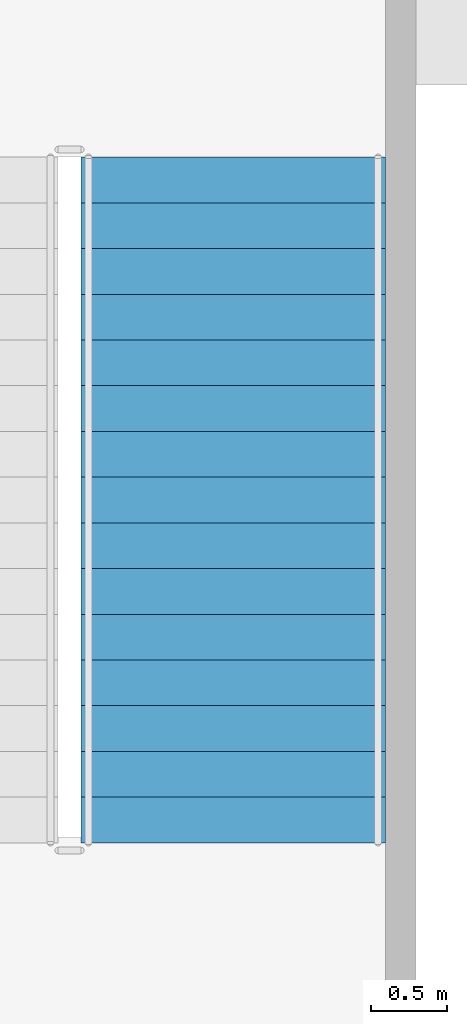
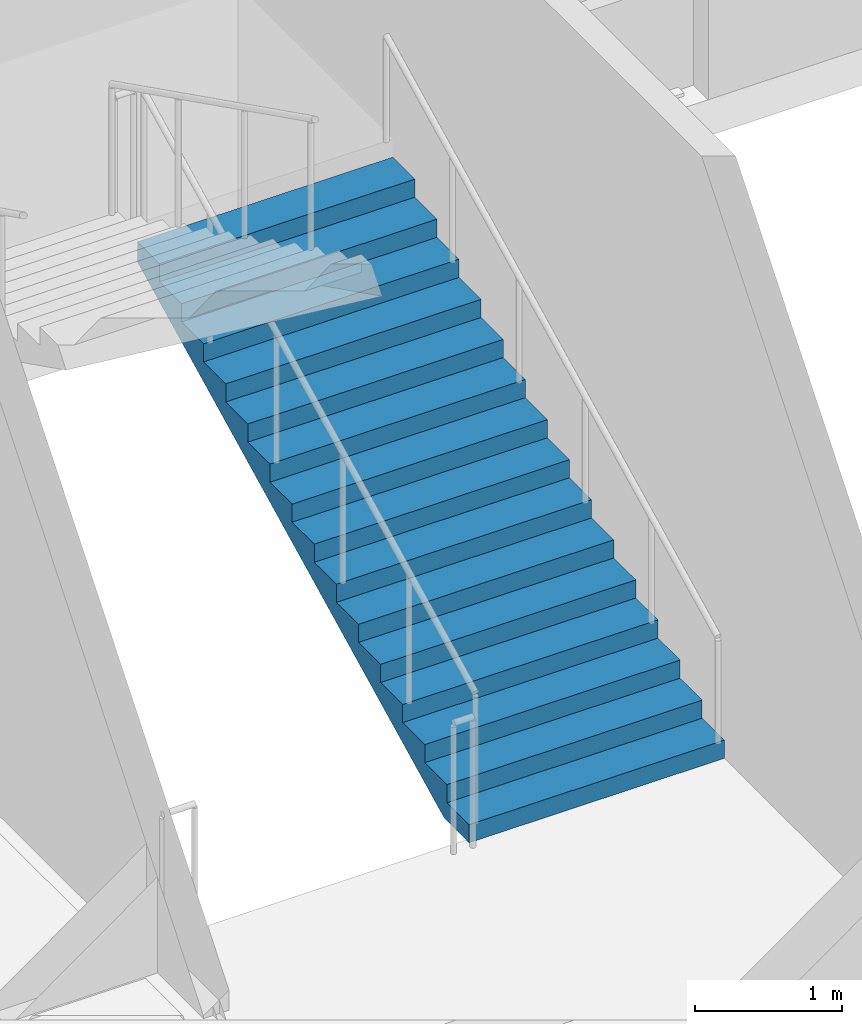
# One storey, part 57 of 86: 1 stair flight, 1 element without a shape of its own.
"""IFC4 building model written with IfcOpenShell, lengths in metres."""

from ifc_helpers import new_model, si_unit, direction, frame, origin, place, context, subcontext, project, spatial, faceted_brep, material, type_object, element, aggregate, save


model = new_model("IFC4")

# Units and contexts
model_context = context("Model", 3, precision=1e-05, world=origin(), true_north=direction((0.0, 1.0)))
body_context = subcontext(model_context, "Body", "Model", "MODEL_VIEW")
ifc_project = project(units=[si_unit("LENGTHUNIT", "METRE"), si_unit("AREAUNIT", "SQUARE_METRE"), si_unit("VOLUMEUNIT", "CUBIC_METRE"), si_unit("PLANEANGLEUNIT", "RADIAN"), si_unit("MASSUNIT", "GRAM", prefix="KILO")], contexts=[model_context])

# Site, building, storey
site_placement = place(None, origin())
site = spatial("IfcSite", under=ifc_project, at=site_placement, CompositionType="ELEMENT")
building_placement = place(site_placement, origin())
building = spatial("IfcBuilding", under=site, at=building_placement, Name="Kiln Court Media Centre", CompositionType="ELEMENT")
storey_placement = place(building_placement, frame((0.0, 0.0, 10.199951171875)))
storey = spatial("IfcBuildingStorey", under=building, at=storey_placement, Name="L02", CompositionType="ELEMENT", Elevation=10.199951171875)

# Stair, stair flight
ifc_material_1 = material(Name="Concrete C40/50", Category="concrete")
stair_type = type_object("IfcStairType", Name="Concrete C40/50 dog-leg stair 2000 wide, 150 riser", PredefinedType="HALF_TURN_STAIR", material=ifc_material_1)
stair_placement = place(storey_placement, origin())
stair = element("IfcStair", 1, at=stair_placement, inside=storey, type_object=stair_type, Name="ST-05 L02", PredefinedType="HALF_TURN_STAIR")
ifc_material_2 = material(Name="Concrete C40/50", Category="concrete")
stair_flight_type = type_object("IfcStairFlightType", Name="Concrete C40/50 stair flight 2000 wide, 150 riser, 300 going", PredefinedType="STRAIGHT", material=ifc_material_2)
stair_flight_placement = place(storey_placement, frame((57.60009765625, 18.39990234375, 0.0), z_axis=(0.0, 0.0, 1.0), x_axis=(0.0, 1.0, 0.0)))
stair_flight = element("IfcStairFlight", 2, at=stair_flight_placement, type_object=stair_flight_type, Name="L02-ST-5004 flight 5008", NumberOfRisers=16, NumberOfTreads=15, PredefinedType="STRAIGHT", RiserHeight=0.15, TreadLength=0.3, context=body_context, shape_type="Brep", body=[
    faceted_brep([(0.335205078125, -1.0, 0.0), (4.5, -1.0, 2.08251953125), (4.5, -1.0, 2.25), (4.199951171875, -1.0, 2.25), (4.199951171875, -1.0, 2.10009765625), (3.89990234375, -1.0, 2.10009765625), (3.89990234375, -1.0, 1.949951171875), (3.60009765625, -1.0, 1.949951171875), (3.60009765625, -1.0, 1.800048828125), (3.300048828125, -1.0, 1.800048828125), (3.300048828125, -1.0, 1.64990234375), (3.0, -1.0, 1.64990234375), (3.0, -1.0, 1.5), (2.699951171875, -1.0, 1.5), (2.699951171875, -1.0, 1.35009765625), (2.39990234375, -1.0, 1.35009765625), (2.39990234375, -1.0, 1.199951171875), (2.10009765625, -1.0, 1.199951171875), (2.10009765625, -1.0, 1.050048828125), (1.800048828125, -1.0, 1.050048828125), (1.800048828125, -1.0, 0.89990234375), (1.5, -1.0, 0.89990234375), (1.5, -1.0, 0.75), (1.199951171875, -1.0, 0.75), (1.199951171875, -1.0, 0.60009765625), (0.89990234375, -1.0, 0.60009765625), (0.89990234375, -1.0, 0.449951171875), (0.60009765625, -1.0, 0.449951171875), (0.60009765625, -1.0, 0.300048828125), (0.300048828125, -1.0, 0.300048828125), (0.300048828125, -1.0, 0.14990234375), (0.0, -1.0, 0.14990234375), (0.0, -1.0, 0.0), (0.0, 1.0, 0.0), (0.0, 1.0, 0.14990234375), (0.300048828125, 1.0, 0.14990234375), (0.300048828125, 1.0, 0.300048828125), (0.60009765625, 1.0, 0.300048828125), (0.60009765625, 1.0, 0.449951171875), (0.89990234375, 1.0, 0.449951171875), (0.89990234375, 1.0, 0.60009765625), (1.199951171875, 1.0, 0.60009765625), (1.199951171875, 1.0, 0.75), (1.5, 1.0, 0.75), (1.5, 1.0, 0.89990234375), (1.800048828125, 1.0, 0.89990234375), (1.800048828125, 1.0, 1.050048828125), (2.10009765625, 1.0, 1.050048828125), (2.10009765625, 1.0, 1.199951171875), (2.39990234375, 1.0, 1.199951171875), (2.39990234375, 1.0, 1.35009765625), (2.699951171875, 1.0, 1.35009765625), (2.699951171875, 1.0, 1.5), (3.0, 1.0, 1.5), (3.0, 1.0, 1.64990234375), (3.300048828125, 1.0, 1.64990234375), (3.300048828125, 1.0, 1.800048828125), (3.60009765625, 1.0, 1.800048828125), (3.60009765625, 1.0, 1.949951171875), (3.89990234375, 1.0, 1.949951171875), (3.89990234375, 1.0, 2.10009765625), (4.199951171875, 1.0, 2.10009765625), (4.199951171875, 1.0, 2.25), (4.5, 1.0, 2.25), (4.5, 1.0, 2.08251953125), (0.335205078125, 1.0, 0.0), (4.5, 0.10009765625, 2.08251953125), (0.335205078125, 0.10009765625, 0.0), (4.5, 0.080078125, 2.08251953125), (0.335205078125, 0.080078125, 0.0), (4.5, 0.06005859375, 2.08251953125), (0.335205078125, 0.06005859375, 0.0), (4.5, 0.0400390625, 2.08251953125), (0.335205078125, 0.0400390625, 0.0), (4.5, 0.02001953125, 2.08251953125), (0.335205078125, 0.02001953125, 0.0), (4.5, 0.0, 2.08251953125), (0.335205078125, 0.0, 0.0), (4.5, -0.02001953125, 2.08251953125), (0.335205078125, -0.02001953125, 0.0), (4.5, -0.0400390625, 2.08251953125), (0.335205078125, -0.0400390625, 0.0), (4.5, -0.06005859375, 2.08251953125), (0.335205078125, -0.06005859375, 0.0), (4.5, -0.080078125, 2.08251953125), (0.335205078125, -0.080078125, 0.0), (4.5, -0.10009765625, 2.08251953125), (0.335205078125, -0.10009765625, 0.0), (4.5, 0.10009765625, 2.25), (4.5, 0.080078125, 2.25), (4.5, 0.06005859375, 2.25), (4.5, 0.0400390625, 2.25), (4.5, 0.02001953125, 2.25), (4.5, 0.0, 2.25), (4.5, -0.02001953125, 2.25), (4.5, -0.0400390625, 2.25), (4.5, -0.06005859375, 2.25), (4.5, -0.080078125, 2.25), (4.5, -0.10009765625, 2.25), (4.199951171875, 0.10009765625, 2.25), (4.199951171875, 0.080078125, 2.25), (4.199951171875, 0.06005859375, 2.25), (4.199951171875, 0.0400390625, 2.25), (4.199951171875, 0.02001953125, 2.25), (4.199951171875, 0.0, 2.25), (4.199951171875, -0.02001953125, 2.25), (4.199951171875, -0.0400390625, 2.25), (4.199951171875, -0.06005859375, 2.25), (4.199951171875, -0.080078125, 2.25), (4.199951171875, -0.10009765625, 2.25), (4.199951171875, 0.10009765625, 2.10009765625), (4.199951171875, 0.080078125, 2.10009765625), (4.199951171875, 0.06005859375, 2.10009765625), (4.199951171875, 0.0400390625, 2.10009765625), (4.199951171875, 0.02001953125, 2.10009765625), (4.199951171875, 0.0, 2.10009765625), (4.199951171875, -0.02001953125, 2.10009765625), (4.199951171875, -0.0400390625, 2.10009765625), (4.199951171875, -0.06005859375, 2.10009765625), (4.199951171875, -0.080078125, 2.10009765625), (4.199951171875, -0.10009765625, 2.10009765625), (3.89990234375, 0.10009765625, 2.10009765625), (3.89990234375, 0.080078125, 2.10009765625), (3.89990234375, 0.06005859375, 2.10009765625), (3.89990234375, 0.0400390625, 2.10009765625), (3.89990234375, 0.02001953125, 2.10009765625), (3.89990234375, 0.0, 2.10009765625), (3.89990234375, -0.02001953125, 2.10009765625), (3.89990234375, -0.0400390625, 2.10009765625), (3.89990234375, -0.06005859375, 2.10009765625), (3.89990234375, -0.080078125, 2.10009765625), (3.89990234375, -0.10009765625, 2.10009765625), (3.89990234375, 0.10009765625, 1.949951171875), (3.89990234375, 0.080078125, 1.949951171875), (3.89990234375, 0.06005859375, 1.949951171875), (3.89990234375, 0.0400390625, 1.949951171875), (3.89990234375, 0.02001953125, 1.949951171875), (3.89990234375, 0.0, 1.949951171875), (3.89990234375, -0.02001953125, 1.949951171875), (3.89990234375, -0.0400390625, 1.949951171875), (3.89990234375, -0.06005859375, 1.949951171875), (3.89990234375, -0.080078125, 1.949951171875), (3.89990234375, -0.10009765625, 1.949951171875), (3.60009765625, 0.10009765625, 1.949951171875), (3.60009765625, 0.080078125, 1.949951171875), (3.60009765625, 0.06005859375, 1.949951171875), (3.60009765625, 0.0400390625, 1.949951171875), (3.60009765625, 0.02001953125, 1.949951171875), (3.60009765625, 0.0, 1.949951171875), (3.60009765625, -0.02001953125, 1.949951171875), (3.60009765625, -0.0400390625, 1.949951171875), (3.60009765625, -0.06005859375, 1.949951171875), (3.60009765625, -0.080078125, 1.949951171875), (3.60009765625, -0.10009765625, 1.949951171875), (3.60009765625, 0.10009765625, 1.800048828125), (3.60009765625, 0.080078125, 1.800048828125), (3.60009765625, 0.06005859375, 1.800048828125), (3.60009765625, 0.0400390625, 1.800048828125), (3.60009765625, 0.02001953125, 1.800048828125), (3.60009765625, 0.0, 1.800048828125), (3.60009765625, -0.02001953125, 1.800048828125), (3.60009765625, -0.0400390625, 1.800048828125), (3.60009765625, -0.06005859375, 1.800048828125), (3.60009765625, -0.080078125, 1.800048828125), (3.60009765625, -0.10009765625, 1.800048828125), (3.300048828125, 0.10009765625, 1.800048828125), (3.300048828125, 0.080078125, 1.800048828125), (3.300048828125, 0.06005859375, 1.800048828125), (3.300048828125, 0.0400390625, 1.800048828125), (3.300048828125, 0.02001953125, 1.800048828125), (3.300048828125, 0.0, 1.800048828125), (3.300048828125, -0.02001953125, 1.800048828125), (3.300048828125, -0.0400390625, 1.800048828125), (3.300048828125, -0.06005859375, 1.800048828125), (3.300048828125, -0.080078125, 1.800048828125), (3.300048828125, -0.10009765625, 1.800048828125), (3.300048828125, 0.10009765625, 1.64990234375), (3.300048828125, 0.080078125, 1.64990234375), (3.300048828125, 0.06005859375, 1.64990234375), (3.300048828125, 0.0400390625, 1.64990234375), (3.300048828125, 0.02001953125, 1.64990234375), (3.300048828125, 0.0, 1.64990234375), (3.300048828125, -0.02001953125, 1.64990234375), (3.300048828125, -0.0400390625, 1.64990234375), (3.300048828125, -0.06005859375, 1.64990234375), (3.300048828125, -0.080078125, 1.64990234375), (3.300048828125, -0.10009765625, 1.64990234375), (3.0, 0.10009765625, 1.64990234375), (3.0, 0.080078125, 1.64990234375), (3.0, 0.06005859375, 1.64990234375), (3.0, 0.0400390625, 1.64990234375), (3.0, 0.02001953125, 1.64990234375), (3.0, 0.0, 1.64990234375), (3.0, -0.02001953125, 1.64990234375), (3.0, -0.0400390625, 1.64990234375), (3.0, -0.06005859375, 1.64990234375), (3.0, -0.080078125, 1.64990234375), (3.0, -0.10009765625, 1.64990234375), (3.0, 0.10009765625, 1.5), (3.0, 0.080078125, 1.5), (3.0, 0.06005859375, 1.5), (3.0, 0.0400390625, 1.5), (3.0, 0.02001953125, 1.5), (3.0, 0.0, 1.5), (3.0, -0.02001953125, 1.5), (3.0, -0.0400390625, 1.5), (3.0, -0.06005859375, 1.5), (3.0, -0.080078125, 1.5), (3.0, -0.10009765625, 1.5), (2.699951171875, 0.10009765625, 1.5), (2.699951171875, 0.080078125, 1.5), (2.699951171875, 0.06005859375, 1.5), (2.699951171875, 0.0400390625, 1.5), (2.699951171875, 0.02001953125, 1.5), (2.699951171875, 0.0, 1.5), (2.699951171875, -0.02001953125, 1.5), (2.699951171875, -0.0400390625, 1.5), (2.699951171875, -0.06005859375, 1.5), (2.699951171875, -0.080078125, 1.5), (2.699951171875, -0.10009765625, 1.5), (2.699951171875, 0.10009765625, 1.35009765625), (2.699951171875, 0.080078125, 1.35009765625), (2.699951171875, 0.06005859375, 1.35009765625), (2.699951171875, 0.0400390625, 1.35009765625), (2.699951171875, 0.02001953125, 1.35009765625), (2.699951171875, 0.0, 1.35009765625), (2.699951171875, -0.02001953125, 1.35009765625), (2.699951171875, -0.0400390625, 1.35009765625), (2.699951171875, -0.06005859375, 1.35009765625), (2.699951171875, -0.080078125, 1.35009765625), (2.699951171875, -0.10009765625, 1.35009765625), (2.39990234375, 0.10009765625, 1.35009765625), (2.39990234375, 0.080078125, 1.35009765625), (2.39990234375, 0.06005859375, 1.35009765625), (2.39990234375, 0.0400390625, 1.35009765625), (2.39990234375, 0.02001953125, 1.35009765625), (2.39990234375, 0.0, 1.35009765625), (2.39990234375, -0.02001953125, 1.35009765625), (2.39990234375, -0.0400390625, 1.35009765625), (2.39990234375, -0.06005859375, 1.35009765625), (2.39990234375, -0.080078125, 1.35009765625), (2.39990234375, -0.10009765625, 1.35009765625), (2.39990234375, 0.10009765625, 1.199951171875), (2.39990234375, 0.080078125, 1.199951171875), (2.39990234375, 0.06005859375, 1.199951171875), (2.39990234375, 0.0400390625, 1.199951171875), (2.39990234375, 0.02001953125, 1.199951171875), (2.39990234375, 0.0, 1.199951171875), (2.39990234375, -0.02001953125, 1.199951171875), (2.39990234375, -0.0400390625, 1.199951171875), (2.39990234375, -0.06005859375, 1.199951171875), (2.39990234375, -0.080078125, 1.199951171875), (2.39990234375, -0.10009765625, 1.199951171875), (2.10009765625, 0.10009765625, 1.199951171875), (2.10009765625, 0.080078125, 1.199951171875), (2.10009765625, 0.06005859375, 1.199951171875), (2.10009765625, 0.0400390625, 1.199951171875), (2.10009765625, 0.02001953125, 1.199951171875), (2.10009765625, 0.0, 1.199951171875), (2.10009765625, -0.02001953125, 1.199951171875), (2.10009765625, -0.0400390625, 1.199951171875), (2.10009765625, -0.06005859375, 1.199951171875), (2.10009765625, -0.080078125, 1.199951171875), (2.10009765625, -0.10009765625, 1.199951171875), (2.10009765625, 0.10009765625, 1.050048828125), (2.10009765625, 0.080078125, 1.050048828125), (2.10009765625, 0.06005859375, 1.050048828125), (2.10009765625, 0.0400390625, 1.050048828125), (2.10009765625, 0.02001953125, 1.050048828125), (2.10009765625, 0.0, 1.050048828125), (2.10009765625, -0.02001953125, 1.050048828125), (2.10009765625, -0.0400390625, 1.050048828125), (2.10009765625, -0.06005859375, 1.050048828125), (2.10009765625, -0.080078125, 1.050048828125), (2.10009765625, -0.10009765625, 1.050048828125), (1.800048828125, 0.10009765625, 1.050048828125), (1.800048828125, 0.080078125, 1.050048828125), (1.800048828125, 0.06005859375, 1.050048828125), (1.800048828125, 0.0400390625, 1.050048828125), (1.800048828125, 0.02001953125, 1.050048828125), (1.800048828125, 0.0, 1.050048828125), (1.800048828125, -0.02001953125, 1.050048828125), (1.800048828125, -0.0400390625, 1.050048828125), (1.800048828125, -0.06005859375, 1.050048828125), (1.800048828125, -0.080078125, 1.050048828125), (1.800048828125, -0.10009765625, 1.050048828125), (1.800048828125, 0.10009765625, 0.89990234375), (1.800048828125, 0.080078125, 0.89990234375), (1.800048828125, 0.06005859375, 0.89990234375), (1.800048828125, 0.0400390625, 0.89990234375), (1.800048828125, 0.02001953125, 0.89990234375), (1.800048828125, 0.0, 0.89990234375), (1.800048828125, -0.02001953125, 0.89990234375), (1.800048828125, -0.0400390625, 0.89990234375), (1.800048828125, -0.06005859375, 0.89990234375), (1.800048828125, -0.080078125, 0.89990234375), (1.800048828125, -0.10009765625, 0.89990234375), (1.5, 0.10009765625, 0.89990234375), (1.5, 0.080078125, 0.89990234375), (1.5, 0.06005859375, 0.89990234375), (1.5, 0.0400390625, 0.89990234375), (1.5, 0.02001953125, 0.89990234375), (1.5, 0.0, 0.89990234375), (1.5, -0.02001953125, 0.89990234375), (1.5, -0.0400390625, 0.89990234375), (1.5, -0.06005859375, 0.89990234375), (1.5, -0.080078125, 0.89990234375), (1.5, -0.10009765625, 0.89990234375), (1.5, 0.10009765625, 0.75), (1.5, 0.080078125, 0.75), (1.5, 0.06005859375, 0.75), (1.5, 0.0400390625, 0.75), (1.5, 0.02001953125, 0.75), (1.5, 0.0, 0.75), (1.5, -0.02001953125, 0.75), (1.5, -0.0400390625, 0.75), (1.5, -0.06005859375, 0.75), (1.5, -0.080078125, 0.75), (1.5, -0.10009765625, 0.75), (1.199951171875, 0.10009765625, 0.75), (1.199951171875, 0.080078125, 0.75), (1.199951171875, 0.06005859375, 0.75), (1.199951171875, 0.0400390625, 0.75), (1.199951171875, 0.02001953125, 0.75), (1.199951171875, 0.0, 0.75), (1.199951171875, -0.02001953125, 0.75), (1.199951171875, -0.0400390625, 0.75), (1.199951171875, -0.06005859375, 0.75), (1.199951171875, -0.080078125, 0.75), (1.199951171875, -0.10009765625, 0.75), (1.199951171875, 0.10009765625, 0.60009765625), (1.199951171875, 0.080078125, 0.60009765625), (1.199951171875, 0.06005859375, 0.60009765625), (1.199951171875, 0.0400390625, 0.60009765625), (1.199951171875, 0.02001953125, 0.60009765625), (1.199951171875, 0.0, 0.60009765625), (1.199951171875, -0.02001953125, 0.60009765625), (1.199951171875, -0.0400390625, 0.60009765625), (1.199951171875, -0.06005859375, 0.60009765625), (1.199951171875, -0.080078125, 0.60009765625), (1.199951171875, -0.10009765625, 0.60009765625), (0.89990234375, 0.10009765625, 0.60009765625), (0.89990234375, 0.080078125, 0.60009765625), (0.89990234375, 0.06005859375, 0.60009765625), (0.89990234375, 0.0400390625, 0.60009765625), (0.89990234375, 0.02001953125, 0.60009765625), (0.89990234375, 0.0, 0.60009765625), (0.89990234375, -0.02001953125, 0.60009765625), (0.89990234375, -0.0400390625, 0.60009765625), (0.89990234375, -0.06005859375, 0.60009765625), (0.89990234375, -0.080078125, 0.60009765625), (0.89990234375, -0.10009765625, 0.60009765625), (0.89990234375, 0.10009765625, 0.449951171875), (0.89990234375, 0.080078125, 0.449951171875), (0.89990234375, 0.06005859375, 0.449951171875), (0.89990234375, 0.0400390625, 0.449951171875), (0.89990234375, 0.02001953125, 0.449951171875), (0.89990234375, 0.0, 0.449951171875), (0.89990234375, -0.02001953125, 0.449951171875), (0.89990234375, -0.0400390625, 0.449951171875), (0.89990234375, -0.06005859375, 0.449951171875), (0.89990234375, -0.080078125, 0.449951171875), (0.89990234375, -0.10009765625, 0.449951171875), (0.60009765625, 0.10009765625, 0.449951171875), (0.60009765625, 0.080078125, 0.449951171875), (0.60009765625, 0.06005859375, 0.449951171875), (0.60009765625, 0.0400390625, 0.449951171875), (0.60009765625, 0.02001953125, 0.449951171875), (0.60009765625, 0.0, 0.449951171875), (0.60009765625, -0.02001953125, 0.449951171875), (0.60009765625, -0.0400390625, 0.449951171875), (0.60009765625, -0.06005859375, 0.449951171875), (0.60009765625, -0.080078125, 0.449951171875), (0.60009765625, -0.10009765625, 0.449951171875), (0.60009765625, 0.10009765625, 0.300048828125), (0.60009765625, 0.080078125, 0.300048828125), (0.60009765625, 0.06005859375, 0.300048828125), (0.60009765625, 0.0400390625, 0.300048828125), (0.60009765625, 0.02001953125, 0.300048828125), (0.60009765625, 0.0, 0.300048828125), (0.60009765625, -0.02001953125, 0.300048828125), (0.60009765625, -0.0400390625, 0.300048828125), (0.60009765625, -0.06005859375, 0.300048828125), (0.60009765625, -0.080078125, 0.300048828125), (0.60009765625, -0.10009765625, 0.300048828125), (0.300048828125, 0.10009765625, 0.300048828125), (0.300048828125, 0.080078125, 0.300048828125), (0.300048828125, 0.06005859375, 0.300048828125), (0.300048828125, 0.0400390625, 0.300048828125), (0.300048828125, 0.02001953125, 0.300048828125), (0.300048828125, 0.0, 0.300048828125), (0.300048828125, -0.02001953125, 0.300048828125), (0.300048828125, -0.0400390625, 0.300048828125), (0.300048828125, -0.06005859375, 0.300048828125), (0.300048828125, -0.080078125, 0.300048828125), (0.300048828125, -0.10009765625, 0.300048828125), (0.300048828125, 0.10009765625, 0.14990234375), (0.300048828125, 0.080078125, 0.14990234375), (0.300048828125, 0.06005859375, 0.14990234375), (0.300048828125, 0.0400390625, 0.14990234375), (0.300048828125, 0.02001953125, 0.14990234375), (0.300048828125, 0.0, 0.14990234375), (0.300048828125, -0.02001953125, 0.14990234375), (0.300048828125, -0.0400390625, 0.14990234375), (0.300048828125, -0.06005859375, 0.14990234375), (0.300048828125, -0.080078125, 0.14990234375), (0.300048828125, -0.10009765625, 0.14990234375), (0.0, 0.10009765625, 0.14990234375), (0.0, 0.080078125, 0.14990234375), (0.0, 0.06005859375, 0.14990234375), (0.0, 0.0400390625, 0.14990234375), (0.0, 0.02001953125, 0.14990234375), (0.0, 0.0, 0.14990234375), (0.0, -0.02001953125, 0.14990234375), (0.0, -0.0400390625, 0.14990234375), (0.0, -0.06005859375, 0.14990234375), (0.0, -0.080078125, 0.14990234375), (0.0, -0.10009765625, 0.14990234375), (0.0, 0.10009765625, 0.0), (0.0, 0.080078125, 0.0), (0.0, 0.06005859375, 0.0), (0.0, 0.0400390625, 0.0), (0.0, 0.02001953125, 0.0), (0.0, 0.0, 0.0), (0.0, -0.02001953125, 0.0), (0.0, -0.0400390625, 0.0), (0.0, -0.06005859375, 0.0), (0.0, -0.080078125, 0.0), (0.0, -0.10009765625, 0.0)], [[[0, 1, 2, 3, 4, 5, 6, 7, 8, 9, 10, 11, 12, 13, 14, 15, 16, 17, 18, 19, 20, 21, 22, 23, 24, 25, 26, 27, 28, 29, 30, 31, 32]], [[33, 34, 35, 36, 37, 38, 39, 40, 41, 42, 43, 44, 45, 46, 47, 48, 49, 50, 51, 52, 53, 54, 55, 56, 57, 58, 59, 60, 61, 62, 63, 64, 65]], [[65, 64, 66, 67]], [[67, 66, 68, 69]], [[69, 68, 70, 71]], [[71, 70, 72, 73]], [[73, 72, 74, 75]], [[75, 74, 76, 77]], [[77, 76, 78, 79]], [[79, 78, 80, 81]], [[81, 80, 82, 83]], [[83, 82, 84, 85]], [[85, 84, 86, 87]], [[87, 86, 1, 0]], [[64, 63, 88, 66]], [[66, 88, 89, 68]], [[68, 89, 90, 70]], [[70, 90, 91, 72]], [[72, 91, 92, 74]], [[74, 92, 93, 76]], [[76, 93, 94, 78]], [[78, 94, 95, 80]], [[80, 95, 96, 82]], [[82, 96, 97, 84]], [[84, 97, 98, 86]], [[86, 98, 2, 1]], [[63, 62, 99, 88]], [[88, 99, 100, 89]], [[89, 100, 101, 90]], [[90, 101, 102, 91]], [[91, 102, 103, 92]], [[92, 103, 104, 93]], [[93, 104, 105, 94]], [[94, 105, 106, 95]], [[95, 106, 107, 96]], [[96, 107, 108, 97]], [[97, 108, 109, 98]], [[98, 109, 3, 2]], [[62, 61, 110, 99]], [[99, 110, 111, 100]], [[100, 111, 112, 101]], [[101, 112, 113, 102]], [[102, 113, 114, 103]], [[103, 114, 115, 104]], [[104, 115, 116, 105]], [[105, 116, 117, 106]], [[106, 117, 118, 107]], [[107, 118, 119, 108]], [[108, 119, 120, 109]], [[109, 120, 4, 3]], [[61, 60, 121, 110]], [[110, 121, 122, 111]], [[111, 122, 123, 112]], [[112, 123, 124, 113]], [[113, 124, 125, 114]], [[114, 125, 126, 115]], [[115, 126, 127, 116]], [[116, 127, 128, 117]], [[117, 128, 129, 118]], [[118, 129, 130, 119]], [[119, 130, 131, 120]], [[120, 131, 5, 4]], [[60, 59, 132, 121]], [[121, 132, 133, 122]], [[122, 133, 134, 123]], [[123, 134, 135, 124]], [[124, 135, 136, 125]], [[125, 136, 137, 126]], [[126, 137, 138, 127]], [[127, 138, 139, 128]], [[128, 139, 140, 129]], [[129, 140, 141, 130]], [[130, 141, 142, 131]], [[131, 142, 6, 5]], [[59, 58, 143, 132]], [[132, 143, 144, 133]], [[133, 144, 145, 134]], [[134, 145, 146, 135]], [[135, 146, 147, 136]], [[136, 147, 148, 137]], [[137, 148, 149, 138]], [[138, 149, 150, 139]], [[139, 150, 151, 140]], [[140, 151, 152, 141]], [[141, 152, 153, 142]], [[142, 153, 7, 6]], [[58, 57, 154, 143]], [[143, 154, 155, 144]], [[144, 155, 156, 145]], [[145, 156, 157, 146]], [[146, 157, 158, 147]], [[147, 158, 159, 148]], [[148, 159, 160, 149]], [[149, 160, 161, 150]], [[150, 161, 162, 151]], [[151, 162, 163, 152]], [[152, 163, 164, 153]], [[153, 164, 8, 7]], [[57, 56, 165, 154]], [[154, 165, 166, 155]], [[155, 166, 167, 156]], [[156, 167, 168, 157]], [[157, 168, 169, 158]], [[158, 169, 170, 159]], [[159, 170, 171, 160]], [[160, 171, 172, 161]], [[161, 172, 173, 162]], [[162, 173, 174, 163]], [[163, 174, 175, 164]], [[164, 175, 9, 8]], [[56, 55, 176, 165]], [[165, 176, 177, 166]], [[166, 177, 178, 167]], [[167, 178, 179, 168]], [[168, 179, 180, 169]], [[169, 180, 181, 170]], [[170, 181, 182, 171]], [[171, 182, 183, 172]], [[172, 183, 184, 173]], [[173, 184, 185, 174]], [[174, 185, 186, 175]], [[175, 186, 10, 9]], [[55, 54, 187, 176]], [[176, 187, 188, 177]], [[177, 188, 189, 178]], [[178, 189, 190, 179]], [[179, 190, 191, 180]], [[180, 191, 192, 181]], [[181, 192, 193, 182]], [[182, 193, 194, 183]], [[183, 194, 195, 184]], [[184, 195, 196, 185]], [[185, 196, 197, 186]], [[186, 197, 11, 10]], [[54, 53, 198, 187]], [[187, 198, 199, 188]], [[188, 199, 200, 189]], [[189, 200, 201, 190]], [[190, 201, 202, 191]], [[191, 202, 203, 192]], [[192, 203, 204, 193]], [[193, 204, 205, 194]], [[194, 205, 206, 195]], [[195, 206, 207, 196]], [[196, 207, 208, 197]], [[197, 208, 12, 11]], [[53, 52, 209, 198]], [[198, 209, 210, 199]], [[199, 210, 211, 200]], [[200, 211, 212, 201]], [[201, 212, 213, 202]], [[202, 213, 214, 203]], [[203, 214, 215, 204]], [[204, 215, 216, 205]], [[205, 216, 217, 206]], [[206, 217, 218, 207]], [[207, 218, 219, 208]], [[208, 219, 13, 12]], [[52, 51, 220, 209]], [[209, 220, 221, 210]], [[210, 221, 222, 211]], [[211, 222, 223, 212]], [[212, 223, 224, 213]], [[213, 224, 225, 214]], [[214, 225, 226, 215]], [[215, 226, 227, 216]], [[216, 227, 228, 217]], [[217, 228, 229, 218]], [[218, 229, 230, 219]], [[219, 230, 14, 13]], [[51, 50, 231, 220]], [[220, 231, 232, 221]], [[221, 232, 233, 222]], [[222, 233, 234, 223]], [[223, 234, 235, 224]], [[224, 235, 236, 225]], [[225, 236, 237, 226]], [[226, 237, 238, 227]], [[227, 238, 239, 228]], [[228, 239, 240, 229]], [[229, 240, 241, 230]], [[230, 241, 15, 14]], [[50, 49, 242, 231]], [[231, 242, 243, 232]], [[232, 243, 244, 233]], [[233, 244, 245, 234]], [[234, 245, 246, 235]], [[235, 246, 247, 236]], [[236, 247, 248, 237]], [[237, 248, 249, 238]], [[238, 249, 250, 239]], [[239, 250, 251, 240]], [[240, 251, 252, 241]], [[241, 252, 16, 15]], [[49, 48, 253, 242]], [[242, 253, 254, 243]], [[243, 254, 255, 244]], [[244, 255, 256, 245]], [[245, 256, 257, 246]], [[246, 257, 258, 247]], [[247, 258, 259, 248]], [[248, 259, 260, 249]], [[249, 260, 261, 250]], [[250, 261, 262, 251]], [[251, 262, 263, 252]], [[252, 263, 17, 16]], [[48, 47, 264, 253]], [[253, 264, 265, 254]], [[254, 265, 266, 255]], [[255, 266, 267, 256]], [[256, 267, 268, 257]], [[257, 268, 269, 258]], [[258, 269, 270, 259]], [[259, 270, 271, 260]], [[260, 271, 272, 261]], [[261, 272, 273, 262]], [[262, 273, 274, 263]], [[263, 274, 18, 17]], [[47, 46, 275, 264]], [[264, 275, 276, 265]], [[265, 276, 277, 266]], [[266, 277, 278, 267]], [[267, 278, 279, 268]], [[268, 279, 280, 269]], [[269, 280, 281, 270]], [[270, 281, 282, 271]], [[271, 282, 283, 272]], [[272, 283, 284, 273]], [[273, 284, 285, 274]], [[274, 285, 19, 18]], [[46, 45, 286, 275]], [[275, 286, 287, 276]], [[276, 287, 288, 277]], [[277, 288, 289, 278]], [[278, 289, 290, 279]], [[279, 290, 291, 280]], [[280, 291, 292, 281]], [[281, 292, 293, 282]], [[282, 293, 294, 283]], [[283, 294, 295, 284]], [[284, 295, 296, 285]], [[285, 296, 20, 19]], [[45, 44, 297, 286]], [[286, 297, 298, 287]], [[287, 298, 299, 288]], [[288, 299, 300, 289]], [[289, 300, 301, 290]], [[290, 301, 302, 291]], [[291, 302, 303, 292]], [[292, 303, 304, 293]], [[293, 304, 305, 294]], [[294, 305, 306, 295]], [[295, 306, 307, 296]], [[296, 307, 21, 20]], [[44, 43, 308, 297]], [[297, 308, 309, 298]], [[298, 309, 310, 299]], [[299, 310, 311, 300]], [[300, 311, 312, 301]], [[301, 312, 313, 302]], [[302, 313, 314, 303]], [[303, 314, 315, 304]], [[304, 315, 316, 305]], [[305, 316, 317, 306]], [[306, 317, 318, 307]], [[307, 318, 22, 21]], [[43, 42, 319, 308]], [[308, 319, 320, 309]], [[309, 320, 321, 310]], [[310, 321, 322, 311]], [[311, 322, 323, 312]], [[312, 323, 324, 313]], [[313, 324, 325, 314]], [[314, 325, 326, 315]], [[315, 326, 327, 316]], [[316, 327, 328, 317]], [[317, 328, 329, 318]], [[318, 329, 23, 22]], [[42, 41, 330, 319]], [[319, 330, 331, 320]], [[320, 331, 332, 321]], [[321, 332, 333, 322]], [[322, 333, 334, 323]], [[323, 334, 335, 324]], [[324, 335, 336, 325]], [[325, 336, 337, 326]], [[326, 337, 338, 327]], [[327, 338, 339, 328]], [[328, 339, 340, 329]], [[329, 340, 24, 23]], [[41, 40, 341, 330]], [[330, 341, 342, 331]], [[331, 342, 343, 332]], [[332, 343, 344, 333]], [[333, 344, 345, 334]], [[334, 345, 346, 335]], [[335, 346, 347, 336]], [[336, 347, 348, 337]], [[337, 348, 349, 338]], [[338, 349, 350, 339]], [[339, 350, 351, 340]], [[340, 351, 25, 24]], [[40, 39, 352, 341]], [[341, 352, 353, 342]], [[342, 353, 354, 343]], [[343, 354, 355, 344]], [[344, 355, 356, 345]], [[345, 356, 357, 346]], [[346, 357, 358, 347]], [[347, 358, 359, 348]], [[348, 359, 360, 349]], [[349, 360, 361, 350]], [[350, 361, 362, 351]], [[351, 362, 26, 25]], [[39, 38, 363, 352]], [[352, 363, 364, 353]], [[353, 364, 365, 354]], [[354, 365, 366, 355]], [[355, 366, 367, 356]], [[356, 367, 368, 357]], [[357, 368, 369, 358]], [[358, 369, 370, 359]], [[359, 370, 371, 360]], [[360, 371, 372, 361]], [[361, 372, 373, 362]], [[362, 373, 27, 26]], [[38, 37, 374, 363]], [[363, 374, 375, 364]], [[364, 375, 376, 365]], [[365, 376, 377, 366]], [[366, 377, 378, 367]], [[367, 378, 379, 368]], [[368, 379, 380, 369]], [[369, 380, 381, 370]], [[370, 381, 382, 371]], [[371, 382, 383, 372]], [[372, 383, 384, 373]], [[373, 384, 28, 27]], [[37, 36, 385, 374]], [[374, 385, 386, 375]], [[375, 386, 387, 376]], [[376, 387, 388, 377]], [[377, 388, 389, 378]], [[378, 389, 390, 379]], [[379, 390, 391, 380]], [[380, 391, 392, 381]], [[381, 392, 393, 382]], [[382, 393, 394, 383]], [[383, 394, 395, 384]], [[384, 395, 29, 28]], [[36, 35, 396, 385]], [[385, 396, 397, 386]], [[386, 397, 398, 387]], [[387, 398, 399, 388]], [[388, 399, 400, 389]], [[389, 400, 401, 390]], [[390, 401, 402, 391]], [[391, 402, 403, 392]], [[392, 403, 404, 393]], [[393, 404, 405, 394]], [[394, 405, 406, 395]], [[395, 406, 30, 29]], [[35, 34, 407, 396]], [[396, 407, 408, 397]], [[397, 408, 409, 398]], [[398, 409, 410, 399]], [[399, 410, 411, 400]], [[400, 411, 412, 401]], [[401, 412, 413, 402]], [[402, 413, 414, 403]], [[403, 414, 415, 404]], [[404, 415, 416, 405]], [[405, 416, 417, 406]], [[406, 417, 31, 30]], [[34, 33, 418, 407]], [[407, 418, 419, 408]], [[408, 419, 420, 409]], [[409, 420, 421, 410]], [[410, 421, 422, 411]], [[411, 422, 423, 412]], [[412, 423, 424, 413]], [[413, 424, 425, 414]], [[414, 425, 426, 415]], [[415, 426, 427, 416]], [[416, 427, 428, 417]], [[417, 428, 32, 31]], [[33, 65, 67, 418]], [[418, 67, 69, 419]], [[419, 69, 71, 420]], [[420, 71, 73, 421]], [[421, 73, 75, 422]], [[422, 75, 77, 423]], [[423, 77, 79, 424]], [[424, 79, 81, 425]], [[425, 81, 83, 426]], [[426, 83, 85, 427]], [[427, 85, 87, 428]], [[428, 87, 0, 32]]]),
])
aggregate(stair, [stair_flight])

save(model, "model.ifc")
